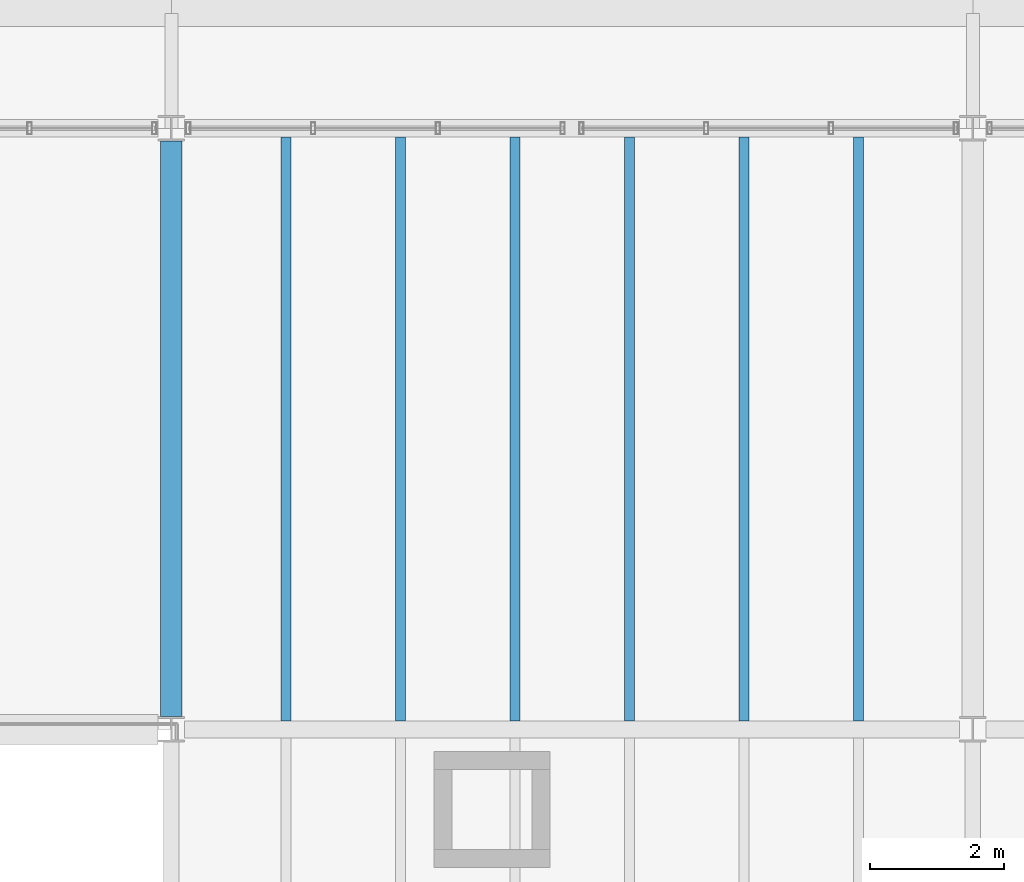
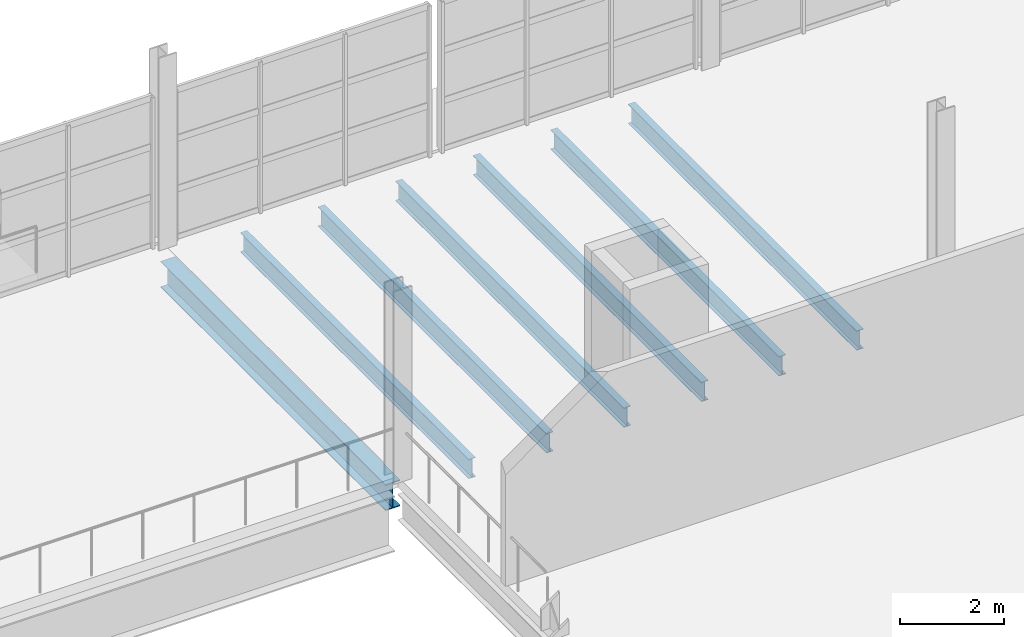
# One storey, part 44 of 114: 7 beams.
"""IFC4 building model written with IfcOpenShell, lengths in metres."""

from ifc_helpers import new_model, si_unit, direction, frame, origin, origin_2d, place, context, subcontext, project, spatial, i_section, extrude, material, material_profile, profile_set, type_object, element, save


model = new_model("IFC4")

# Units and contexts
model_context = context("Model", 3, precision=1e-05, world=origin(), true_north=direction((0.0, 1.0)))
body_context = subcontext(model_context, "Body", "Model", "MODEL_VIEW")
ifc_project = project(units=[si_unit("LENGTHUNIT", "METRE"), si_unit("AREAUNIT", "SQUARE_METRE"), si_unit("VOLUMEUNIT", "CUBIC_METRE"), si_unit("PLANEANGLEUNIT", "RADIAN"), si_unit("MASSUNIT", "GRAM", prefix="KILO")], contexts=[model_context])

# Site, building, storey
site_placement = place(None, origin())
site = spatial("IfcSite", under=ifc_project, at=site_placement, CompositionType="ELEMENT")
building_placement = place(site_placement, origin())
building = spatial("IfcBuilding", under=site, at=building_placement, Name="Kelmvaro Bay Concert Hall", CompositionType="ELEMENT")
storey_placement = place(building_placement, frame((0.0, 0.0, 4.800048828125)))
storey = spatial("IfcBuildingStorey", under=building, at=storey_placement, Name="L01", CompositionType="ELEMENT", Elevation=4.800048828125)

# Beams
ifc_material_1 = material(Name="Steel ASTM A992 Grade 50", Category="steel")
ifc_material_profile_1 = material_profile(ifc_material_1, i_section(OverallWidth=0.152099609375, OverallDepth=0.455078125, WebThickness=0.008056640625, FlangeThickness=0.01318359375, at=origin_2d()), Name="W18X40")
ifc_profile_set_1 = profile_set([ifc_material_profile_1], Name="Steel ASTM A992 Grade 50")
beam_type_1 = type_object("IfcBeamType", Name="Foyer Concourse Floor Joist W18x40", PredefinedType="JOIST", material=ifc_profile_set_1)
for number, where, z_axis, x_axis, name in (
    (1, (85.71435546875, 30.1279296875, -0.4775390625), (0.0, 1.0, 0.0), (-1.0, 0.0, 0.0), "L01 Floor Joist JST-L01-0386"),
    (2, (87.4287109375, 30.1279296875, -0.4775390625), (0.0, 1.0, 0.0), (-1.0, 0.0, 0.0), "L01 Floor Joist JST-L01-0387"),
    (3, (89.142822265625, 30.1279296875, -0.4775390625), (0.0, 1.0, 0.0), (-1.0, 0.0, 0.0), "L01 Floor Joist JST-L01-0388"),
    (4, (90.857177734375, 30.1279296875, -0.4775390625), (0.0, 1.0, 0.0), (-1.0, 0.0, 0.0), "L01 Floor Joist JST-L01-0389"),
    (5, (92.5712890625, 30.1279296875, -0.4775390625), (0.0, 1.0, 0.0), (-1.0, 0.0, 0.0), "L01 Floor Joist JST-L01-0390"),
    (6, (94.28564453125, 30.1279296875, -0.4775390625), (0.0, 1.0, 0.0), (-1.0, 0.0, 0.0), "L01 Floor Joist JST-L01-0391"),
):
    element("IfcBeam", number, at=place(storey_placement, frame(where, z_axis=z_axis, x_axis=x_axis)), inside=storey, type_object=beam_type_1, Name=name, PredefinedType="JOIST", context=body_context, shape_type="SweptSolid", body=[
        extrude(i_section(OverallWidth=0.152099609375, OverallDepth=0.455078125, WebThickness=0.008056640625, FlangeThickness=0.01318359375, at=origin_2d()), origin(), (0.0, 0.0, 1.0), 8.744140625),
    ])
ifc_material_2 = material(Name="Steel ASTM A992 Grade 50", Category="steel")
ifc_material_profile_2 = material_profile(ifc_material_2, i_section(OverallWidth=0.323974609375, OverallDepth=0.611083984375, WebThickness=0.0126953125, FlangeThickness=0.01904296875, at=origin_2d()), Name="W24X104")
ifc_profile_set_2 = profile_set([ifc_material_profile_2], Name="Steel ASTM A992 Grade 50")
beam_type_2 = type_object("IfcBeamType", Name="Foyer Frame Girder W24x104", PredefinedType="BEAM", material=ifc_profile_set_2)
beam_placement = place(storey_placement, frame((84.0, 30.193115234375, -0.5556640625), z_axis=(0.0, 1.0, 0.0), x_axis=(-1.0, 0.0, 0.0)))
element("IfcBeam", 7, at=beam_placement, inside=storey, type_object=beam_type_2, Name="L01 Girder BM-L01-NS-0171", PredefinedType="BEAM", context=body_context, shape_type="SweptSolid", body=[
    extrude(i_section(OverallWidth=0.323974609375, OverallDepth=0.611083984375, WebThickness=0.0126953125, FlangeThickness=0.01904296875, at=origin_2d()), origin(), (0.0, 0.0, 1.0), 8.61376953125),
])

save(model, "model.ifc")
